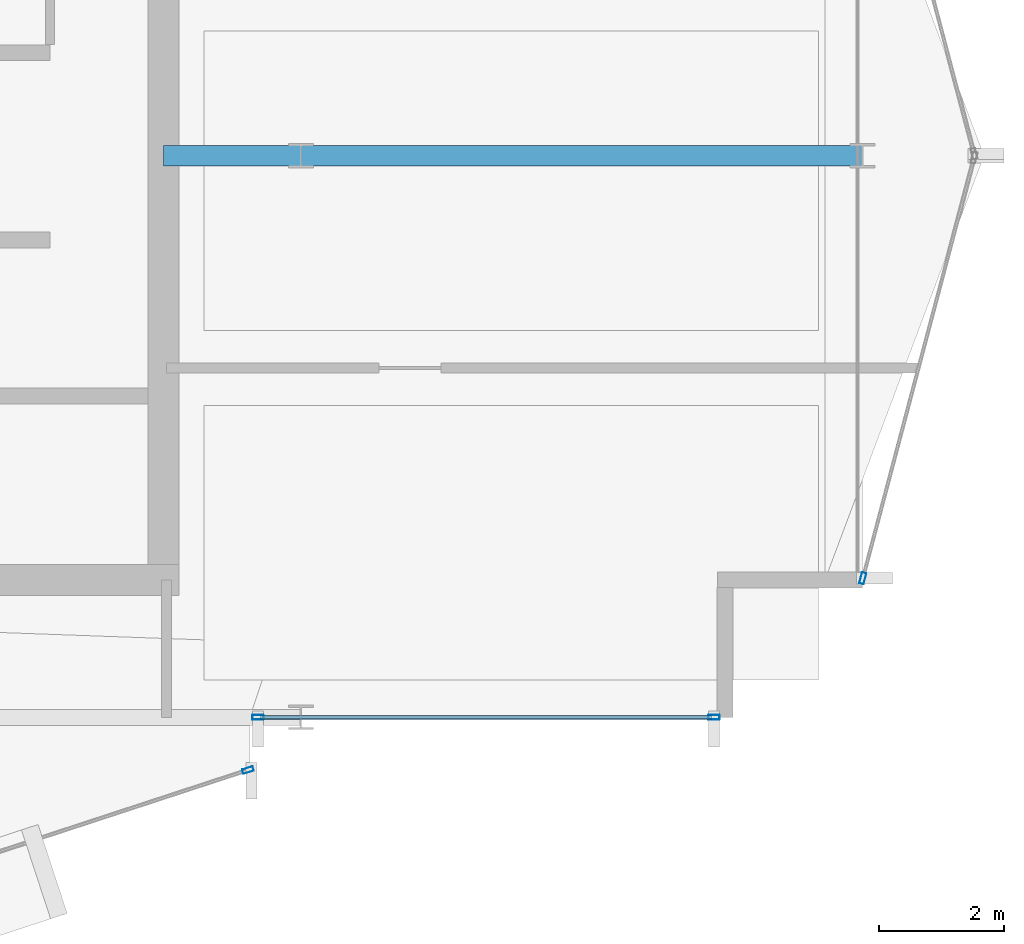
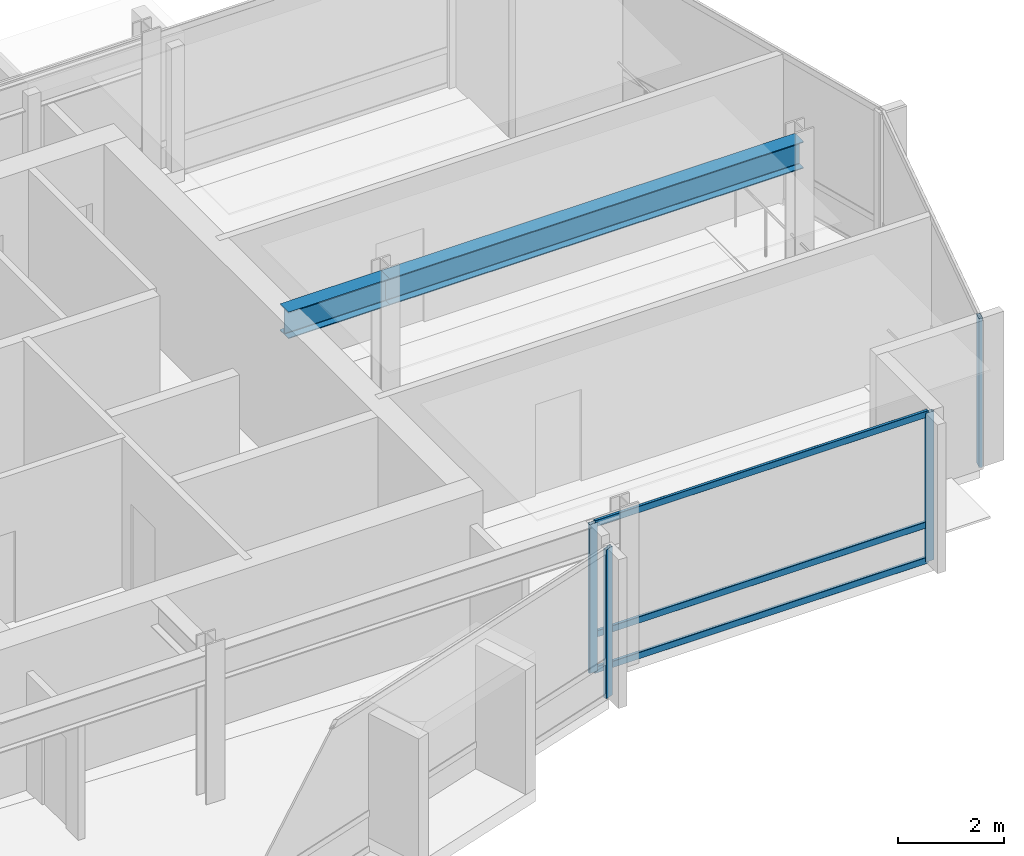
# One storey, part 10 of 28: 7 members, 2 beams, 3 elements without a shape of their own.
"""IFC4 building model written with IfcOpenShell, lengths in metres."""

from ifc_helpers import new_model, si_unit, direction, frame, origin, origin_2d, place, context, subcontext, project, spatial, hollow_rectangle, i_section, extrude, material, layer, layer_set, material_profile, profile_set, type_object, element, aggregate, save


model = new_model("IFC4")

# Units and contexts
model_context = context("Model", 3, precision=1e-05, world=origin(), true_north=direction((0.0, 1.0)))
body_context = subcontext(model_context, "Body", "Model", "MODEL_VIEW")
ifc_project = project(units=[si_unit("LENGTHUNIT", "METRE"), si_unit("AREAUNIT", "SQUARE_METRE"), si_unit("VOLUMEUNIT", "CUBIC_METRE"), si_unit("PLANEANGLEUNIT", "RADIAN"), si_unit("MASSUNIT", "GRAM", prefix="KILO")], contexts=[model_context])

# Site, building, storey
site_placement = place(None, origin())
site = spatial("IfcSite", under=ifc_project, at=site_placement, CompositionType="ELEMENT")
building_placement = place(site_placement, origin())
building = spatial("IfcBuilding", under=site, at=building_placement, Name="Solvaryn Broadcast Tower", CompositionType="ELEMENT")
storey_placement = place(building_placement, frame((0.0, 0.0, 206.199951171875)))
storey = spatial("IfcBuildingStorey", under=building, at=storey_placement, Name="L51", CompositionType="ELEMENT", Elevation=206.199951171875)

# Beams
ifc_material_1 = material(Name="Steel ASTM A992 Grade 50", Category="steel")
ifc_material_profile_1 = material_profile(ifc_material_1, i_section(OverallWidth=0.323974609375, OverallDepth=0.611083984375, WebThickness=0.0126953125, FlangeThickness=0.01904296875, FilletRadius=0.014892578125, at=origin_2d()))
ifc_profile_set_1 = profile_set([ifc_material_profile_1], Name="Steel ASTM A992 Grade 50")
beam_type = type_object("IfcBeamType", Name="BM-B1-W24X104", PredefinedType="BEAM", material=ifc_profile_set_1)
beam_1_placement = place(storey_placement, frame((45.0, 18.0, 3.114501953125), z_axis=(1.0, 0.0, 0.0), x_axis=(0.0, 1.0, 0.0)))
element("IfcBeam", 1, at=beam_1_placement, inside=storey, type_object=beam_type, Name="L51 Primary Beam X (45-54 @ Y=18)", PredefinedType="BEAM", context=body_context, shape_type="SweptSolid", body=[
    extrude(i_section(OverallWidth=0.323974609375, OverallDepth=0.611083984375, WebThickness=0.0126953125, FlangeThickness=0.01904296875, FilletRadius=0.014892578125, at=origin_2d()), origin(), (0.0, 0.0, 1.0), 9.0),
])
beam_2_placement = place(storey_placement, frame((42.800048828125, 18.0, 3.114501953125), z_axis=(1.0, 0.0, 0.0), x_axis=(0.0, 1.0, 0.0)))
element("IfcBeam", 2, at=beam_2_placement, inside=storey, type_object=beam_type, Name="L51 Core Tie Beam CTE3", PredefinedType="BEAM", context=body_context, shape_type="SweptSolid", body=[
    extrude(i_section(OverallWidth=0.323974609375, OverallDepth=0.611083984375, WebThickness=0.0126953125, FlangeThickness=0.01904296875, FilletRadius=0.014892578125, at=origin_2d()), origin(), (0.0, 0.0, 1.0), 2.199951171875),
])

# Curtain wall, member
ifc_material_2 = material(Name="Aluminium and Terracotta Unitised Curtain Wall", Category="masonry")
ifc_layer = layer(ifc_material_2, 0.199951171875)
ifc_layer_set = layer_set([ifc_layer], Name="CW-SYS2-LOWMID")
curtain_wall_type = type_object("IfcCurtainWallType", Name="CW-SYS2-LOWMID", PredefinedType="NOTDEFINED", material=ifc_layer_set)
curtain_wall_1_placement = place(storey_placement, origin())
curtain_wall_1 = element("IfcCurtainWall", 3, at=curtain_wall_1_placement, inside=storey, type_object=curtain_wall_type, Name="L51 Curtain Wall DR4", PredefinedType="NOTDEFINED")
ifc_material_3 = material(Name="Anodised Aluminium 6063-T6", Category="aluminium")
ifc_material_profile_2 = material_profile(ifc_material_3, hollow_rectangle(XDim=0.074951171875, YDim=0.179931640625, WallThickness=0.00390625, InnerFilletRadius=0.00390625, OuterFilletRadius=0.008056640625, at=origin_2d()))
ifc_profile_set_2 = profile_set([ifc_material_profile_2], Name="Anodised Aluminium 6063-T6")
member_type_1 = type_object("IfcMemberType", Name="CW-MUL-180", PredefinedType="MULLION", material=ifc_profile_set_2)
member_1_placement = place(storey_placement, frame((44.153564453125, 8.153564453125, 0.0), z_axis=(0.0, 0.0, 1.0), x_axis=(-0.311558717623, 0.950226902099, 0.0)))
member_1 = element("IfcMember", 4, at=member_1_placement, type_object=member_type_1, Name="CWS2 mullion 2", PredefinedType="MULLION", context=body_context, shape_type="SweptSolid", body=[
    extrude(hollow_rectangle(XDim=0.074951171875, YDim=0.179931640625, WallThickness=0.00390625, InnerFilletRadius=0.00390625, OuterFilletRadius=0.008056640625, at=origin_2d()), origin(), (0.0, 0.0, 1.0), 3.420166015625),
])
aggregate(curtain_wall_1, [member_1])

# Curtain wall, members
curtain_wall_2_placement = place(storey_placement, origin())
curtain_wall_2 = element("IfcCurtainWall", 5, at=curtain_wall_2_placement, inside=storey, type_object=curtain_wall_type, Name="L51 Curtain Wall S2", PredefinedType="NOTDEFINED")
member_2_placement = place(storey_placement, frame((44.31201171875, 9.0, 0.0), z_axis=(0.0, 0.0, 1.0), x_axis=(0.0, 1.0, 0.0)))
member_2 = element("IfcMember", 6, at=member_2_placement, type_object=member_type_1, Name="CWS2 mullion 1", PredefinedType="MULLION", context=body_context, shape_type="SweptSolid", body=[
    extrude(hollow_rectangle(XDim=0.074951171875, YDim=0.179931640625, WallThickness=0.00390625, InnerFilletRadius=0.00390625, OuterFilletRadius=0.008056640625, at=origin_2d()), origin(), (0.0, 0.0, 1.0), 3.420166015625),
])
member_3_placement = place(storey_placement, frame((51.6201171875, 9.0, 0.0), z_axis=(0.0, 0.0, 1.0), x_axis=(0.0, 1.0, 0.0)))
member_3 = element("IfcMember", 7, at=member_3_placement, type_object=member_type_1, Name="CWS2 mullion 2", PredefinedType="MULLION", context=body_context, shape_type="SweptSolid", body=[
    extrude(hollow_rectangle(XDim=0.074951171875, YDim=0.179931640625, WallThickness=0.00390625, InnerFilletRadius=0.00390625, OuterFilletRadius=0.008056640625, at=origin_2d()), origin(), (0.0, 0.0, 1.0), 3.420166015625),
])

# Curtain wall, member
curtain_wall_3_placement = place(storey_placement, origin())
curtain_wall_3 = element("IfcCurtainWall", 8, at=curtain_wall_3_placement, inside=storey, type_object=curtain_wall_type, Name="L51 Curtain Wall ET2", PredefinedType="NOTDEFINED")
member_4_placement = place(storey_placement, frame((54.007568359375, 11.22900390625, 0.0), z_axis=(0.0, 0.0, 1.0), x_axis=(0.966705227863, -0.25589256031, 0.0)))
member_4 = element("IfcMember", 9, at=member_4_placement, type_object=member_type_1, Name="CWS2 mullion 2", PredefinedType="MULLION", context=body_context, shape_type="SweptSolid", body=[
    extrude(hollow_rectangle(XDim=0.074951171875, YDim=0.179931640625, WallThickness=0.00390625, InnerFilletRadius=0.00390625, OuterFilletRadius=0.008056640625, at=origin_2d()), origin(), (0.0, 0.0, 1.0), 3.420166015625),
])
aggregate(curtain_wall_3, [member_4])

# Member
ifc_material_4 = material(Name="Anodised Aluminium 6063-T6", Category="aluminium")
ifc_material_profile_3 = material_profile(ifc_material_4, hollow_rectangle(XDim=0.06494140625, YDim=0.14990234375, WallThickness=0.00390625, InnerFilletRadius=0.00390625, OuterFilletRadius=0.008056640625, at=origin_2d()))
ifc_profile_set_3 = profile_set([ifc_material_profile_3], Name="Anodised Aluminium 6063-T6")
member_type_2 = type_object("IfcMemberType", Name="CW-TRN-150", PredefinedType="USERDEFINED", material=ifc_profile_set_3)
member_5_placement = place(storey_placement, frame((44.342041015625, 9.0, 0.030029296875), z_axis=(1.0, 0.0, 0.0), x_axis=(0.0, 1.0, 0.0)))
member_5 = element("IfcMember", 10, at=member_5_placement, type_object=member_type_2, Name="CWS2 transom 1.1", ObjectType="TRANSOM", PredefinedType="USERDEFINED", context=body_context, shape_type="SweptSolid", body=[
    extrude(hollow_rectangle(XDim=0.06494140625, YDim=0.14990234375, WallThickness=0.00390625, InnerFilletRadius=0.00390625, OuterFilletRadius=0.008056640625, at=origin_2d()), origin(), (0.0, 0.0, 1.0), 7.248046875),
])

member_6_placement = place(storey_placement, frame((44.342041015625, 9.0, 0.85009765625), z_axis=(1.0, 0.0, 0.0), x_axis=(0.0, 1.0, 0.0)))
member_6 = element("IfcMember", 11, at=member_6_placement, type_object=member_type_2, Name="CWS2 transom 1.2", ObjectType="TRANSOM", PredefinedType="USERDEFINED", context=body_context, shape_type="SweptSolid", body=[
    extrude(hollow_rectangle(XDim=0.06494140625, YDim=0.14990234375, WallThickness=0.00390625, InnerFilletRadius=0.00390625, OuterFilletRadius=0.008056640625, at=origin_2d()), origin(), (0.0, 0.0, 1.0), 7.248046875),
])

member_7_placement = place(storey_placement, frame((44.342041015625, 9.0, 3.39013671875), z_axis=(1.0, 0.0, 0.0), x_axis=(0.0, 1.0, 0.0)))
member_7 = element("IfcMember", 12, at=member_7_placement, type_object=member_type_2, Name="CWS2 transom 1.3", ObjectType="TRANSOM", PredefinedType="USERDEFINED", context=body_context, shape_type="SweptSolid", body=[
    extrude(hollow_rectangle(XDim=0.06494140625, YDim=0.14990234375, WallThickness=0.00390625, InnerFilletRadius=0.00390625, OuterFilletRadius=0.008056640625, at=origin_2d()), origin(), (0.0, 0.0, 1.0), 7.248046875),
])

aggregate(curtain_wall_2, [member_2, member_3, member_5, member_6, member_7])

save(model, "model.ifc")
